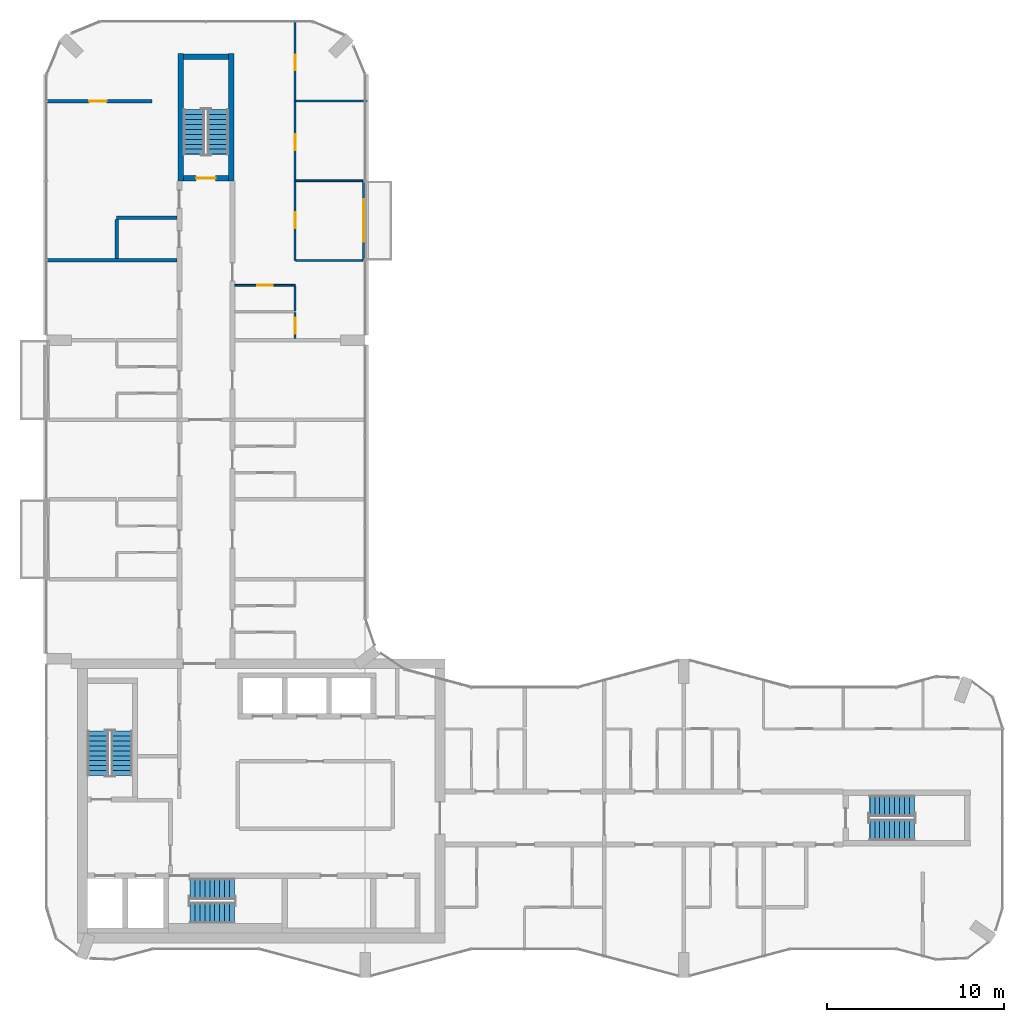
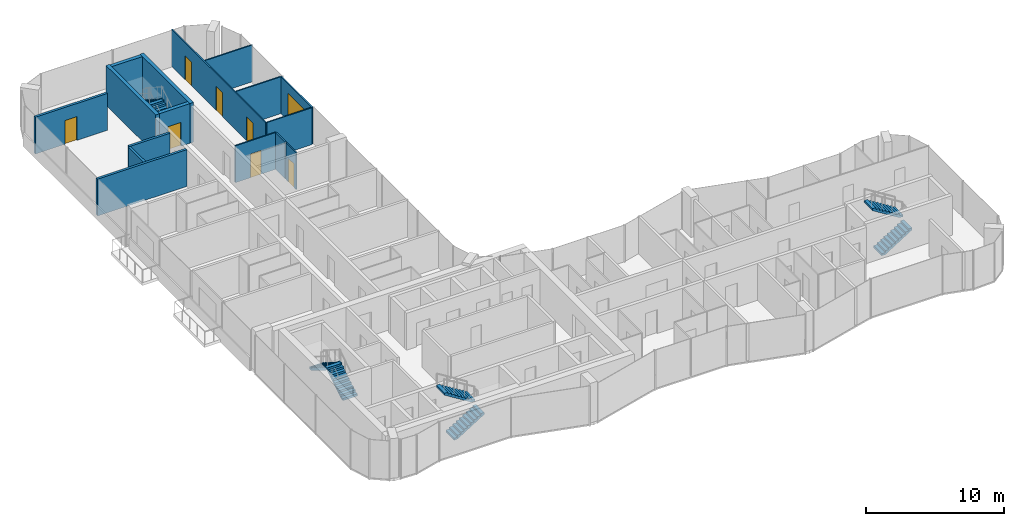
# One storey, part 13 of 16: 16 walls, 8 doors, 8 stair flights, 8 openings, 4 elements without a shape of their own.
"""IFC4 building model written with IfcOpenShell, lengths in metres."""

from ifc_helpers import new_model, si_unit, direction, frame, frame_2d, origin, place, context, subcontext, project, spatial, polyline, rectangle, outline, extrude, material, layer, layer_set, type_object, element, fill, aggregate, save


model = new_model("IFC4")

# Units and contexts
model_context = context("Model", 3, precision=1e-05, world=origin(), true_north=direction((0.0, 1.0)))
body_context = subcontext(model_context, "Body", "Model", "MODEL_VIEW")
ifc_project = project(units=[si_unit("LENGTHUNIT", "METRE"), si_unit("AREAUNIT", "SQUARE_METRE"), si_unit("VOLUMEUNIT", "CUBIC_METRE"), si_unit("PLANEANGLEUNIT", "RADIAN"), si_unit("MASSUNIT", "GRAM", prefix="KILO")], contexts=[model_context])

# Site, building, storey
site_placement = place(None, origin())
site = spatial("IfcSite", under=ifc_project, at=site_placement, CompositionType="ELEMENT")
building_placement = place(site_placement, origin())
building = spatial("IfcBuilding", under=site, at=building_placement, Name="Plateau Cross Towers", CompositionType="ELEMENT")
storey_placement = place(building_placement, frame((0.0, 0.0, 211.89990234375)))
storey = spatial("IfcBuildingStorey", under=building, at=storey_placement, Name="L55", CompositionType="ELEMENT", Elevation=211.89990234375)

# Wall, opening, door
ifc_material_1 = material(Name="Aluminium framed glazing", Category="aluminium")
ifc_layer_1 = layer(ifc_material_1, 0.10009765625)
ifc_layer_set_1 = layer_set([ifc_layer_1], Name="Aluminium framed glazing")
wall_type_1 = type_object("IfcWallType", Name="Balcony screen wall 100", PredefinedType="STANDARD", material=ifc_layer_set_1)
wall_1_placement = place(storey_placement, frame((17.89990234375, 45.0, 0.0), z_axis=(0.0, 0.0, 1.0), x_axis=(0.0, -1.0, 0.0)))
wall_1 = element("IfcWall", 1, at=wall_1_placement, inside=storey, type_object=wall_type_1, Name="Balcony screen wall A-BAL-L55-03", PredefinedType="STANDARD", context=body_context, shape_type="SweptSolid", body=[
    extrude(rectangle(XDim=4.5, YDim=0.10009765625, at=frame_2d((2.25, 0.0))), origin(), (0.0, 0.0, 1.0), 3.25),
])
opening_1_placement = place(wall_1_placement, frame((1.050048828125, 0.0, 0.0)))
opening_1 = element("IfcOpeningElement", 2, at=opening_1_placement, cuts=wall_1, Name="Opening D-B24", PredefinedType="OPENING", context=body_context, shape_type="SweptSolid", body=[
    extrude(rectangle(XDim=2.39990234375, YDim=2.39990234375, at=frame_2d((1.199951171875, 1.199951171875))), frame((0.0, 0.06005859375, 0.0), z_axis=(0.0, -1.0, 0.0), x_axis=(1.0, 0.0, 0.0)), (0.0, 0.0, 1.0), 0.1201171875),
])
ifc_material_2 = material(Name="Aluminium frame, double glazing", Category="aluminium")
door_type_1 = type_object("IfcDoorType", Name="Balcony sliding door 2400", OperationType="NOTDEFINED", PredefinedType="DOOR", material=ifc_material_2)
door_1_placement = place(opening_1_placement, origin())
door_1 = element("IfcDoor", 3, at=door_1_placement, inside=storey, type_object=door_type_1, Name="Balcony door A-BAL-L55-03", OperationType="SINGLE_SWING_LEFT", OverallHeight=2.39990234375, OverallWidth=2.39990234375, PredefinedType="DOOR", context=body_context, shape_type="SweptSolid", body=[
    extrude(rectangle(XDim=2.39990234375, YDim=2.39990234375, at=frame_2d((1.199951171875, 1.199951171875))), frame((0.0, 0.02490234375, 0.0), z_axis=(0.0, -1.0, 0.0), x_axis=(1.0, 0.0, 0.0)), (0.0, 0.0, 1.0), 0.050048828125),
])
fill(opening_1, door_1)

ifc_material_3 = material(Name="Gypsum board on steel studs", Category="steel")
ifc_layer_2 = layer(ifc_material_3, 0.10009765625)
ifc_layer_set_2 = layer_set([ifc_layer_2], Name="Gypsum board on steel studs")
wall_type_2 = type_object("IfcWallType", Name="Flat partition 100", PredefinedType="PARTITIONING", material=ifc_layer_set_2)
wall_2_placement = place(storey_placement, frame((14.03759765625, 39.10009765625, 0.0), z_axis=(0.0, 0.0, 1.0), x_axis=(-1.0, 0.0, 0.0)))
wall_2 = element("IfcWall", 4, at=wall_2_placement, inside=storey, type_object=wall_type_2, Name="Partition wall", PredefinedType="PARTITIONING", context=body_context, shape_type="SweptSolid", body=[
    extrude(rectangle(XDim=3.400146484375, YDim=0.10009765625, at=frame_2d((1.7001953125, 0.0))), origin(), (0.0, 0.0, 1.0), 3.25),
])
opening_2_placement = place(wall_2_placement, frame((1.25, 0.0, 0.0)))
opening_2 = element("IfcOpeningElement", 5, at=opening_2_placement, cuts=wall_2, Name="Opening 55-49", PredefinedType="OPENING", context=body_context, shape_type="SweptSolid", body=[
    extrude(rectangle(XDim=0.89990234375, YDim=2.10009765625, at=frame_2d((0.449951171875, 1.050048828125))), frame((0.0, 0.06005859375, 0.0), z_axis=(0.0, -1.0, 0.0), x_axis=(1.0, 0.0, 0.0)), (0.0, 0.0, 1.0), 0.1201171875),
])
ifc_material_4 = material(Name="Timber leaf", Category="wood")
door_type_2 = type_object("IfcDoorType", Name="Flat room door 900", OperationType="NOTDEFINED", PredefinedType="DOOR", material=ifc_material_4)
door_2_placement = place(opening_2_placement, origin())
door_2 = element("IfcDoor", 6, at=door_2_placement, inside=storey, type_object=door_type_2, Name="Door 55-49", OperationType="SINGLE_SWING_LEFT", OverallHeight=2.10009765625, OverallWidth=0.89990234375, PredefinedType="DOOR", context=body_context, shape_type="SweptSolid", body=[
    extrude(rectangle(XDim=0.89990234375, YDim=2.10009765625, at=frame_2d((0.449951171875, 1.050048828125))), frame((0.0, 0.02490234375, 0.0), z_axis=(0.0, -1.0, 0.0), x_axis=(1.0, 0.0, 0.0)), (0.0, 0.0, 1.0), 0.050048828125),
])
fill(opening_2, door_2)

# Walls
for number, where, z_axis, x_axis, name in (
    (7, (14.08740234375, 40.5, 0.0), (0.0, 0.0, 1.0), (1.0, 0.0, 0.0), "Partition wall"),
    (8, (17.85009765625, 45.0, 0.0), (0.0, 0.0, 1.0), (-1.0, 0.0, 0.0), "Partition wall"),
):
    element("IfcWall", number, at=place(storey_placement, frame(where, z_axis=z_axis, x_axis=x_axis)), inside=storey, type_object=wall_type_2, Name=name, PredefinedType="PARTITIONING", context=body_context, shape_type="SweptSolid", body=[
        extrude(rectangle(XDim=3.7626953125, YDim=0.10009765625, at=frame_2d((1.88134765625, 0.0))), origin(), (0.0, 0.0, 1.0), 3.25),
    ])
wall_3_placement = place(storey_placement, frame((18.080078125, 49.5, 0.0), z_axis=(0.0, 0.0, 1.0), x_axis=(-1.0, 0.0, 0.0)))
element("IfcWall", 9, at=wall_3_placement, inside=storey, type_object=wall_type_2, Name="Partition wall", PredefinedType="PARTITIONING", context=body_context, shape_type="SweptSolid", body=[
    extrude(rectangle(XDim=3.99267578125, YDim=0.10009765625, at=frame_2d((1.996337890625, 0.0))), origin(), (0.0, 0.0, 1.0), 3.25),
])

# Wall, openings, doors
wall_4_placement = place(storey_placement, frame((14.03759765625, 54.080078125, 0.0), z_axis=(0.0, 0.0, 1.0), x_axis=(0.0, -1.0, 0.0)))
wall_4 = element("IfcWall", 10, at=wall_4_placement, inside=storey, type_object=wall_type_2, Name="Partition wall", PredefinedType="PARTITIONING", context=body_context, shape_type="SweptSolid", body=[
    extrude(rectangle(XDim=13.580078125, YDim=0.10009765625, at=frame_2d((6.7900390625, 0.0))), origin(), (0.0, 0.0, 1.0), 3.25),
])
opening_3_placement = place(wall_4_placement, frame((10.85009765625, 0.0, 0.0)))
opening_3 = element("IfcOpeningElement", 11, at=opening_3_placement, cuts=wall_4, Name="Opening 55-50", PredefinedType="OPENING", context=body_context, shape_type="SweptSolid", body=[
    extrude(rectangle(XDim=0.89990234375, YDim=2.10009765625, at=frame_2d((0.449951171875, 1.050048828125))), frame((0.0, 0.06005859375, 0.0), z_axis=(0.0, -1.0, 0.0), x_axis=(1.0, 0.0, 0.0)), (0.0, 0.0, 1.0), 0.1201171875),
])
opening_4_placement = place(wall_4_placement, frame((6.449951171875, 0.0, 0.0)))
opening_4 = element("IfcOpeningElement", 12, at=opening_4_placement, cuts=wall_4, Name="Opening 55-51", PredefinedType="OPENING", context=body_context, shape_type="SweptSolid", body=[
    extrude(rectangle(XDim=0.89990234375, YDim=2.10009765625, at=frame_2d((0.449951171875, 1.050048828125))), frame((0.0, 0.06005859375, 0.0), z_axis=(0.0, -1.0, 0.0), x_axis=(1.0, 0.0, 0.0)), (0.0, 0.0, 1.0), 0.1201171875),
])
opening_5_placement = place(wall_4_placement, frame((1.949951171875, 0.0, 0.0)))
opening_5 = element("IfcOpeningElement", 13, at=opening_5_placement, cuts=wall_4, Name="Opening 55-52", PredefinedType="OPENING", context=body_context, shape_type="SweptSolid", body=[
    extrude(rectangle(XDim=0.89990234375, YDim=2.10009765625, at=frame_2d((0.449951171875, 1.050048828125))), frame((0.0, 0.06005859375, 0.0), z_axis=(0.0, -1.0, 0.0), x_axis=(1.0, 0.0, 0.0)), (0.0, 0.0, 1.0), 0.1201171875),
])
door_3_placement = place(opening_3_placement, origin())
door_3 = element("IfcDoor", 14, at=door_3_placement, inside=storey, type_object=door_type_2, Name="Door 55-50", OperationType="SINGLE_SWING_RIGHT", OverallHeight=2.10009765625, OverallWidth=0.89990234375, PredefinedType="DOOR", context=body_context, shape_type="SweptSolid", body=[
    extrude(rectangle(XDim=0.89990234375, YDim=2.10009765625, at=frame_2d((0.449951171875, 1.050048828125))), frame((0.0, 0.02490234375, 0.0), z_axis=(0.0, -1.0, 0.0), x_axis=(1.0, 0.0, 0.0)), (0.0, 0.0, 1.0), 0.050048828125),
])
fill(opening_3, door_3)
door_4_placement = place(opening_4_placement, origin())
door_4 = element("IfcDoor", 15, at=door_4_placement, inside=storey, type_object=door_type_2, Name="Door 55-51", OperationType="SINGLE_SWING_RIGHT", OverallHeight=2.10009765625, OverallWidth=0.89990234375, PredefinedType="DOOR", context=body_context, shape_type="SweptSolid", body=[
    extrude(rectangle(XDim=0.89990234375, YDim=2.10009765625, at=frame_2d((0.449951171875, 1.050048828125))), frame((0.0, 0.02490234375, 0.0), z_axis=(0.0, -1.0, 0.0), x_axis=(1.0, 0.0, 0.0)), (0.0, 0.0, 1.0), 0.050048828125),
])
fill(opening_4, door_4)
door_5_placement = place(opening_5_placement, origin())
door_5 = element("IfcDoor", 16, at=door_5_placement, inside=storey, type_object=door_type_2, Name="Door 55-52", OperationType="SINGLE_SWING_LEFT", OverallHeight=2.10009765625, OverallWidth=0.89990234375, PredefinedType="DOOR", context=body_context, shape_type="SweptSolid", body=[
    extrude(rectangle(XDim=0.89990234375, YDim=2.10009765625, at=frame_2d((0.449951171875, 1.050048828125))), frame((0.0, 0.02490234375, 0.0), z_axis=(0.0, -1.0, 0.0), x_axis=(1.0, 0.0, 0.0)), (0.0, 0.0, 1.0), 0.050048828125),
])
fill(opening_5, door_5)

# Wall, opening, door
wall_5_placement = place(storey_placement, frame((14.03759765625, 36.10009765625, 0.0), z_axis=(0.0, 0.0, 1.0), x_axis=(0.0, 1.0, 0.0)))
wall_5 = element("IfcWall", 17, at=wall_5_placement, inside=storey, type_object=wall_type_2, Name="Partition wall", PredefinedType="PARTITIONING", context=body_context, shape_type="SweptSolid", body=[
    extrude(rectangle(XDim=1.449951171875, YDim=0.10009765625, at=frame_2d((0.72509765625, 0.0))), origin(), (0.0, 0.0, 1.0), 3.25),
])
opening_6_placement = place(wall_5_placement, frame((0.25, 0.0, 0.0)))
opening_6 = element("IfcOpeningElement", 18, at=opening_6_placement, cuts=wall_5, Name="Opening 55-48", PredefinedType="OPENING", context=body_context, shape_type="SweptSolid", body=[
    extrude(rectangle(XDim=0.89990234375, YDim=2.10009765625, at=frame_2d((0.449951171875, 1.050048828125))), frame((0.0, 0.06005859375, 0.0), z_axis=(0.0, -1.0, 0.0), x_axis=(1.0, 0.0, 0.0)), (0.0, 0.0, 1.0), 0.1201171875),
])
door_6_placement = place(opening_6_placement, origin())
door_6 = element("IfcDoor", 19, at=door_6_placement, inside=storey, type_object=door_type_2, Name="Door 55-48", OperationType="SINGLE_SWING_LEFT", OverallHeight=2.10009765625, OverallWidth=0.89990234375, PredefinedType="DOOR", context=body_context, shape_type="SweptSolid", body=[
    extrude(rectangle(XDim=0.89990234375, YDim=2.10009765625, at=frame_2d((0.449951171875, 1.050048828125))), frame((0.0, 0.02490234375, 0.0), z_axis=(0.0, -1.0, 0.0), x_axis=(1.0, 0.0, 0.0)), (0.0, 0.0, 1.0), 0.050048828125),
])
fill(opening_6, door_6)

# Walls
wall_6_placement = place(storey_placement, frame((14.03759765625, 37.64990234375, 0.0), z_axis=(0.0, 0.0, 1.0), x_axis=(0.0, 1.0, 0.0)))
element("IfcWall", 20, at=wall_6_placement, inside=storey, type_object=wall_type_2, Name="Partition wall", PredefinedType="PARTITIONING", context=body_context, shape_type="SweptSolid", body=[
    extrude(rectangle(XDim=1.400146484375, YDim=0.10009765625, at=frame_2d((0.7001953125, 0.0))), origin(), (0.0, 0.0, 1.0), 3.25),
])
ifc_material_5 = material(Name="Gypsum board on steel studs, two layers each side", Category="steel")
ifc_layer_3 = layer(ifc_material_5, 0.199951171875)
ifc_layer_set_3 = layer_set([ifc_layer_3], Name="Gypsum board on steel studs, two layers each side")
wall_type_3 = type_object("IfcWallType", Name="Flat party wall 200", PredefinedType="PARTITIONING", material=ifc_layer_set_3)
wall_7_placement = place(storey_placement, frame((7.362548828125, 40.5, 0.0), z_axis=(0.0, 0.0, 1.0), x_axis=(-1.0, 0.0, 0.0)))
element("IfcWall", 21, at=wall_7_placement, inside=storey, type_object=wall_type_3, Name="Party wall", PredefinedType="PARTITIONING", context=body_context, shape_type="SweptSolid", body=[
    extrude(rectangle(XDim=7.442626953125, YDim=0.199951171875, at=frame_2d((3.72119140625, 0.0))), origin(), (0.0, 0.0, 1.0), 3.25),
])
wall_8_placement = place(storey_placement, frame((7.362548828125, 42.89990234375, 0.0), z_axis=(0.0, 0.0, 1.0), x_axis=(-1.0, 0.0, 0.0)))
element("IfcWall", 22, at=wall_8_placement, inside=storey, type_object=wall_type_3, Name="Party wall", PredefinedType="PARTITIONING", context=body_context, shape_type="SweptSolid", body=[
    extrude(rectangle(XDim=3.400146484375, YDim=0.199951171875, at=frame_2d((1.7001953125, 0.0))), origin(), (0.0, 0.0, 1.0), 3.25),
])

# Wall, opening, door
wall_9_placement = place(storey_placement, frame((5.949951171875, 49.5, 0.0), z_axis=(0.0, 0.0, 1.0), x_axis=(-1.0, 0.0, 0.0)))
wall_9 = element("IfcWall", 23, at=wall_9_placement, inside=storey, type_object=wall_type_3, Name="Party wall", PredefinedType="PARTITIONING", context=body_context, shape_type="SweptSolid", body=[
    extrude(rectangle(XDim=6.030029296875, YDim=0.199951171875, at=frame_2d((3.01513671875, 0.0))), origin(), (0.0, 0.0, 1.0), 3.25),
])
opening_7_placement = place(wall_9_placement, frame((2.550048828125, 0.0, 0.0)))
opening_7 = element("IfcOpeningElement", 24, at=opening_7_placement, cuts=wall_9, Name="Opening 55-25", PredefinedType="OPENING", context=body_context, shape_type="SweptSolid", body=[
    extrude(rectangle(XDim=1.0, YDim=2.10009765625, at=frame_2d((0.5, 1.050048828125))), frame((0.0, 0.10986328125, 0.0), z_axis=(0.0, -1.0, 0.0), x_axis=(1.0, 0.0, 0.0)), (0.0, 0.0, 1.0), 0.219970703125),
])
ifc_material_6 = material(Name="Timber, fire-resisting leaf", Category="wood")
door_type_3 = type_object("IfcDoorType", Name="Flat entrance door 1000", OperationType="NOTDEFINED", PredefinedType="DOOR", material=ifc_material_6)
door_7_placement = place(opening_7_placement, origin())
door_7 = element("IfcDoor", 25, at=door_7_placement, inside=storey, type_object=door_type_3, Name="Door 55-25", OperationType="SINGLE_SWING_RIGHT", OverallHeight=2.10009765625, OverallWidth=1.0, PredefinedType="DOOR", context=body_context, shape_type="SweptSolid", body=[
    extrude(rectangle(XDim=1.0, YDim=2.10009765625, at=frame_2d((0.5, 1.050048828125))), frame((0.0, 0.02490234375, 0.0), z_axis=(0.0, -1.0, 0.0), x_axis=(1.0, 0.0, 0.0)), (0.0, 0.0, 1.0), 0.050048828125),
])
fill(opening_7, door_7)

# Wall
wall_10_placement = place(storey_placement, frame((3.96240234375, 42.800048828125, 0.0), z_axis=(0.0, 0.0, 1.0), x_axis=(0.0, -1.0, 0.0)))
element("IfcWall", 26, at=wall_10_placement, inside=storey, type_object=wall_type_3, Name="Party wall", PredefinedType="PARTITIONING", context=body_context, shape_type="SweptSolid", body=[
    extrude(rectangle(XDim=2.199951171875, YDim=0.199951171875, at=frame_2d((1.10009765625, 0.0))), origin(), (0.0, 0.0, 1.0), 3.25),
])

# Wall, opening, door
ifc_material_7 = material(Name="Concrete C60/75", Category="concrete")
ifc_layer_4 = layer(ifc_material_7, 0.300048828125)
ifc_layer_set_4 = layer_set([ifc_layer_4], Name="Concrete C60/75")
wall_type_4 = type_object("IfcWallType", Name="Stair tower wall 300", PredefinedType="SHEAR", material=ifc_layer_set_4)
wall_11_placement = place(storey_placement, frame((7.72509765625, 45.14990234375, 0.0), z_axis=(0.0, 0.0, 1.0), x_axis=(1.0, 0.0, 0.0)))
wall_11 = element("IfcWall", 27, at=wall_11_placement, inside=storey, type_object=wall_type_4, Name="A-end-N-S@L55", PredefinedType="SHEAR", context=body_context, shape_type="SweptSolid", body=[
    extrude(rectangle(XDim=2.5498046875, YDim=0.300048828125, at=frame_2d((1.27490234375, 0.0))), origin(), (0.0, 0.0, 1.0), 3.5),
])
opening_8_placement = place(wall_11_placement, frame((0.72509765625, 0.0, 0.0)))
opening_8 = element("IfcOpeningElement", 28, at=opening_8_placement, cuts=wall_11, Name="Opening SD", PredefinedType="OPENING", context=body_context, shape_type="SweptSolid", body=[
    extrude(rectangle(XDim=1.10009765625, YDim=2.10009765625, at=frame_2d((0.550048828125, 1.050048828125))), frame((0.0, 0.159912109375, 0.0), z_axis=(0.0, -1.0, 0.0), x_axis=(1.0, 0.0, 0.0)), (0.0, 0.0, 1.0), 0.320068359375),
])
ifc_material_8 = material(Name="Steel, fire-resisting leaf", Category="steel")
door_type_4 = type_object("IfcDoorType", Name="Stair door 1100", OperationType="NOTDEFINED", PredefinedType="DOOR", material=ifc_material_8)
door_8_placement = place(opening_8_placement, origin())
door_8 = element("IfcDoor", 29, at=door_8_placement, inside=storey, type_object=door_type_4, Name="Stair door SD", OperationType="SINGLE_SWING_LEFT", OverallHeight=2.10009765625, OverallWidth=1.10009765625, PredefinedType="DOOR", context=body_context, shape_type="SweptSolid", body=[
    extrude(rectangle(XDim=1.10009765625, YDim=2.10009765625, at=frame_2d((0.550048828125, 1.050048828125))), frame((0.0, 0.02490234375, 0.0), z_axis=(0.0, -1.0, 0.0), x_axis=(1.0, 0.0, 0.0)), (0.0, 0.0, 1.0), 0.050048828125),
])
fill(opening_8, door_8)

# Walls
wall_12_placement = place(storey_placement, frame((7.72509765625, 52.0, 0.0), z_axis=(0.0, 0.0, 1.0), x_axis=(1.0, 0.0, 0.0)))
element("IfcWall", 30, at=wall_12_placement, inside=storey, type_object=wall_type_4, Name="A-end-N-N@L55", PredefinedType="SHEAR", context=body_context, shape_type="SweptSolid", body=[
    extrude(rectangle(XDim=2.5498046875, YDim=0.300048828125, at=frame_2d((1.27490234375, 0.0))), origin(), (0.0, 0.0, 1.0), 3.5),
])
for number, where, z_axis, x_axis, name in (
    (31, (7.574951171875, 45.0, 0.0), (0.0, 0.0, 1.0), (0.0, 1.0, 0.0), "A-end-N-W@L55"),
    (32, (10.425048828125, 45.0, 0.0), (0.0, 0.0, 1.0), (0.0, 1.0, 0.0), "A-end-N-E@L55"),
):
    element("IfcWall", number, at=place(storey_placement, frame(where, z_axis=z_axis, x_axis=x_axis)), inside=storey, type_object=wall_type_4, Name=name, PredefinedType="SHEAR", context=body_context, shape_type="SweptSolid", body=[
        extrude(rectangle(XDim=7.199951171875, YDim=0.300048828125, at=frame_2d((3.60009765625, 0.0))), origin(), (0.0, 0.0, 1.0), 3.5),
    ])

# Stair, stair flights
ifc_material_9 = material(Name="Concrete C40/50", Category="concrete")
stair_type = type_object("IfcStairType", Name="ST-TWR", PredefinedType="HALF_TURN_STAIR", material=ifc_material_9)
stair_1_placement = place(storey_placement, origin())
stair_1 = element("IfcStair", 33, at=stair_1_placement, inside=storey, type_object=stair_type, Name="L55 Protected Exit Stair ST-1", PredefinedType="HALF_TURN_STAIR")
stair_flight_type = type_object("IfcStairFlightType", Name="SFL-RC", PredefinedType="STRAIGHT", material=ifc_material_9)
stair_flight_1_placement = place(storey_placement, frame((4.25, 11.39990234375, 0.0), z_axis=(0.0, 0.0, 1.0), x_axis=(0.0, 1.0, 0.0)))
stair_flight_1 = element("IfcStairFlight", 34, at=stair_flight_1_placement, type_object=stair_flight_type, Name="ST-1 flight 1", NumberOfRisers=10, NumberOfTreads=9, PredefinedType="STRAIGHT", RiserHeight=0.175, TreadLength=0.28, context=body_context, shape_type="SweptSolid", body=[
    extrude(outline(polyline([(-0.0048828125, -0.010009765625), (-0.0048828125, 0.0), (0.0, 0.0), (0.0, 0.175048828125), (0.280029296875, 0.175048828125), (0.280029296875, 0.35009765625), (0.56005859375, 0.35009765625), (0.56005859375, 0.52490234375), (0.840087890625, 0.52490234375), (0.840087890625, 0.699951171875), (1.1201171875, 0.699951171875), (1.1201171875, 0.875), (1.39990234375, 0.875), (1.39990234375, 1.050048828125), (1.679931640625, 1.050048828125), (1.679931640625, 1.22509765625), (1.9599609375, 1.22509765625), (1.9599609375, 1.39990234375), (2.239990234375, 1.39990234375), (2.239990234375, 1.574951171875), (2.52001953125, 1.574951171875), (2.52490234375, 1.56494140625), (2.52490234375, 1.398193359375), (2.52001953125, 1.398193359375), (0.28271484375, 0.0), (0.02001953125, 0.0), (0.02001953125, -0.010009765625), (-0.0048828125, -0.010009765625)])), frame((0.0, 0.60009765625, 0.0), z_axis=(0.0, -1.0, 0.0), x_axis=(1.0, 0.0, 0.0)), (0.0, 0.0, 1.0), 1.199951171875),
])
stair_flight_2_placement = place(storey_placement, frame((2.89990234375, 13.919921875, 1.75), z_axis=(0.0, 0.0, 1.0), x_axis=(0.0, -1.0, 0.0)))
stair_flight_2 = element("IfcStairFlight", 35, at=stair_flight_2_placement, type_object=stair_flight_type, Name="ST-1 flight 2", NumberOfRisers=10, NumberOfTreads=9, PredefinedType="STRAIGHT", RiserHeight=0.175, TreadLength=0.28, context=body_context, shape_type="SweptSolid", body=[
    extrude(outline(polyline([(-0.0048828125, -0.010009765625), (-0.0048828125, 0.0), (0.0, 0.0), (0.0, 0.175048828125), (0.280029296875, 0.175048828125), (0.280029296875, 0.35009765625), (0.56005859375, 0.35009765625), (0.56005859375, 0.52490234375), (0.840087890625, 0.52490234375), (0.840087890625, 0.699951171875), (1.1201171875, 0.699951171875), (1.1201171875, 0.875), (1.39990234375, 0.875), (1.39990234375, 1.050048828125), (1.679931640625, 1.050048828125), (1.679931640625, 1.22509765625), (1.9599609375, 1.22509765625), (1.9599609375, 1.39990234375), (2.239990234375, 1.39990234375), (2.239990234375, 1.574951171875), (2.52001953125, 1.574951171875), (2.52490234375, 1.56494140625), (2.52490234375, 1.398193359375), (2.52001953125, 1.398193359375), (0.28271484375, 0.0), (0.02001953125, 0.0), (0.02001953125, -0.010009765625), (-0.0048828125, -0.010009765625)])), frame((0.0, 0.60009765625, 0.0), z_axis=(0.0, -1.0, 0.0), x_axis=(1.0, 0.0, 0.0)), (0.0, 0.0, 1.0), 1.199951171875),
])
aggregate(stair_1, [stair_flight_1, stair_flight_2])

stair_2_placement = place(storey_placement, origin())
stair_2 = element("IfcStair", 36, at=stair_2_placement, inside=storey, type_object=stair_type, Name="L55 Protected Exit Stair ST-2", PredefinedType="HALF_TURN_STAIR")
stair_flight_3_placement = place(storey_placement, frame((8.10009765625, 3.64990234375, 0.0), z_axis=(0.0, 0.0, 1.0), x_axis=(1.0, 0.0, 0.0)))
stair_flight_3 = element("IfcStairFlight", 37, at=stair_flight_3_placement, type_object=stair_flight_type, Name="ST-2 flight 1", NumberOfRisers=10, NumberOfTreads=9, PredefinedType="STRAIGHT", RiserHeight=0.175, TreadLength=0.28, context=body_context, shape_type="SweptSolid", body=[
    extrude(outline(polyline([(-0.0048828125, -0.010009765625), (-0.0048828125, 0.0), (0.0, 0.0), (0.0, 0.175048828125), (0.280029296875, 0.175048828125), (0.280029296875, 0.35009765625), (0.56005859375, 0.35009765625), (0.56005859375, 0.52490234375), (0.840087890625, 0.52490234375), (0.840087890625, 0.699951171875), (1.1201171875, 0.699951171875), (1.1201171875, 0.875), (1.39990234375, 0.875), (1.39990234375, 1.050048828125), (1.679931640625, 1.050048828125), (1.679931640625, 1.22509765625), (1.9599609375, 1.22509765625), (1.9599609375, 1.39990234375), (2.239990234375, 1.39990234375), (2.239990234375, 1.574951171875), (2.52001953125, 1.574951171875), (2.52490234375, 1.56494140625), (2.52490234375, 1.398193359375), (2.52001953125, 1.398193359375), (0.28271484375, 0.0), (0.02001953125, 0.0), (0.02001953125, -0.010009765625), (-0.0048828125, -0.010009765625)])), frame((0.0, 0.60009765625, 0.0), z_axis=(0.0, -1.0, 0.0), x_axis=(1.0, 0.0, 0.0)), (0.0, 0.0, 1.0), 1.199951171875),
])
stair_flight_4_placement = place(storey_placement, frame((10.6201171875, 5.0, 1.75), z_axis=(0.0, 0.0, 1.0), x_axis=(-1.0, 0.0, 0.0)))
stair_flight_4 = element("IfcStairFlight", 38, at=stair_flight_4_placement, type_object=stair_flight_type, Name="ST-2 flight 2", NumberOfRisers=10, NumberOfTreads=9, PredefinedType="STRAIGHT", RiserHeight=0.175, TreadLength=0.28, context=body_context, shape_type="SweptSolid", body=[
    extrude(outline(polyline([(-0.0048828125, -0.010009765625), (-0.0048828125, 0.0), (0.0, 0.0), (0.0, 0.175048828125), (0.280029296875, 0.175048828125), (0.280029296875, 0.35009765625), (0.56005859375, 0.35009765625), (0.56005859375, 0.52490234375), (0.840087890625, 0.52490234375), (0.840087890625, 0.699951171875), (1.1201171875, 0.699951171875), (1.1201171875, 0.875), (1.39990234375, 0.875), (1.39990234375, 1.050048828125), (1.679931640625, 1.050048828125), (1.679931640625, 1.22509765625), (1.9599609375, 1.22509765625), (1.9599609375, 1.39990234375), (2.239990234375, 1.39990234375), (2.239990234375, 1.574951171875), (2.52001953125, 1.574951171875), (2.52490234375, 1.56494140625), (2.52490234375, 1.398193359375), (2.52001953125, 1.398193359375), (0.28271484375, 0.0), (0.02001953125, 0.0), (0.02001953125, -0.010009765625), (-0.0048828125, -0.010009765625)])), frame((0.0, 0.60009765625, 0.0), z_axis=(0.0, -1.0, 0.0), x_axis=(1.0, 0.0, 0.0)), (0.0, 0.0, 1.0), 1.199951171875),
])
aggregate(stair_2, [stair_flight_3, stair_flight_4])

stair_3_placement = place(storey_placement, origin())
stair_3 = element("IfcStair", 39, at=stair_3_placement, inside=storey, type_object=stair_type, Name="L55 Protected Exit Stair E", PredefinedType="HALF_TURN_STAIR")
stair_flight_5_placement = place(storey_placement, frame((46.5, 8.324951171875, 0.0), z_axis=(0.0, 0.0, 1.0), x_axis=(1.0, 0.0, 0.0)))
stair_flight_5 = element("IfcStairFlight", 40, at=stair_flight_5_placement, type_object=stair_flight_type, Name="ES-E flight 1", NumberOfRisers=10, NumberOfTreads=9, PredefinedType="STRAIGHT", RiserHeight=0.175, TreadLength=0.28, context=body_context, shape_type="SweptSolid", body=[
    extrude(outline(polyline([(-0.0048828125, -0.010009765625), (-0.0048828125, 0.0), (0.0, 0.0), (0.0, 0.175048828125), (0.280029296875, 0.175048828125), (0.280029296875, 0.35009765625), (0.56005859375, 0.35009765625), (0.56005859375, 0.52490234375), (0.840087890625, 0.52490234375), (0.840087890625, 0.699951171875), (1.1201171875, 0.699951171875), (1.1201171875, 0.875), (1.39990234375, 0.875), (1.39990234375, 1.050048828125), (1.679931640625, 1.050048828125), (1.679931640625, 1.22509765625), (1.9599609375, 1.22509765625), (1.9599609375, 1.39990234375), (2.239990234375, 1.39990234375), (2.239990234375, 1.574951171875), (2.52001953125, 1.574951171875), (2.52490234375, 1.56494140625), (2.52490234375, 1.398193359375), (2.52001953125, 1.398193359375), (0.28271484375, 0.0), (0.02001953125, 0.0), (0.02001953125, -0.010009765625), (-0.0048828125, -0.010009765625)])), frame((0.0, 0.60009765625, 0.0), z_axis=(0.0, -1.0, 0.0), x_axis=(1.0, 0.0, 0.0)), (0.0, 0.0, 1.0), 1.199951171875),
])
stair_flight_6_placement = place(storey_placement, frame((49.02001953125, 9.675048828125, 1.75), z_axis=(0.0, 0.0, 1.0), x_axis=(-1.0, 0.0, 0.0)))
stair_flight_6 = element("IfcStairFlight", 41, at=stair_flight_6_placement, type_object=stair_flight_type, Name="ES-E flight 2", NumberOfRisers=10, NumberOfTreads=9, PredefinedType="STRAIGHT", RiserHeight=0.175, TreadLength=0.28, context=body_context, shape_type="SweptSolid", body=[
    extrude(outline(polyline([(-0.0048828125, -0.010009765625), (-0.0048828125, 0.0), (0.0, 0.0), (0.0, 0.175048828125), (0.280029296875, 0.175048828125), (0.280029296875, 0.35009765625), (0.56005859375, 0.35009765625), (0.56005859375, 0.52490234375), (0.840087890625, 0.52490234375), (0.840087890625, 0.699951171875), (1.1201171875, 0.699951171875), (1.1201171875, 0.875), (1.39990234375, 0.875), (1.39990234375, 1.050048828125), (1.679931640625, 1.050048828125), (1.679931640625, 1.22509765625), (1.9599609375, 1.22509765625), (1.9599609375, 1.39990234375), (2.239990234375, 1.39990234375), (2.239990234375, 1.574951171875), (2.52001953125, 1.574951171875), (2.52490234375, 1.56494140625), (2.52490234375, 1.398193359375), (2.52001953125, 1.398193359375), (0.28271484375, 0.0), (0.02001953125, 0.0), (0.02001953125, -0.010009765625), (-0.0048828125, -0.010009765625)])), frame((0.0, 0.60009765625, 0.0), z_axis=(0.0, -1.0, 0.0), x_axis=(1.0, 0.0, 0.0)), (0.0, 0.0, 1.0), 1.199951171875),
])
aggregate(stair_3, [stair_flight_5, stair_flight_6])

stair_4_placement = place(storey_placement, origin())
stair_4 = element("IfcStair", 42, at=stair_4_placement, inside=storey, type_object=stair_type, Name="L55 Protected Exit Stair N", PredefinedType="HALF_TURN_STAIR")
stair_flight_7_placement = place(storey_placement, frame((9.675048828125, 46.5, 0.0), z_axis=(0.0, 0.0, 1.0), x_axis=(0.0, 1.0, 0.0)))
stair_flight_7 = element("IfcStairFlight", 43, at=stair_flight_7_placement, type_object=stair_flight_type, Name="ES-N flight 1", NumberOfRisers=10, NumberOfTreads=9, PredefinedType="STRAIGHT", RiserHeight=0.175, TreadLength=0.28, context=body_context, shape_type="SweptSolid", body=[
    extrude(outline(polyline([(-0.0048828125, -0.010009765625), (-0.0048828125, 0.0), (0.0, 0.0), (0.0, 0.175048828125), (0.280029296875, 0.175048828125), (0.280029296875, 0.35009765625), (0.56005859375, 0.35009765625), (0.56005859375, 0.52490234375), (0.840087890625, 0.52490234375), (0.840087890625, 0.699951171875), (1.1201171875, 0.699951171875), (1.1201171875, 0.875), (1.39990234375, 0.875), (1.39990234375, 1.050048828125), (1.679931640625, 1.050048828125), (1.679931640625, 1.22509765625), (1.9599609375, 1.22509765625), (1.9599609375, 1.39990234375), (2.239990234375, 1.39990234375), (2.239990234375, 1.574951171875), (2.52001953125, 1.574951171875), (2.52490234375, 1.56494140625), (2.52490234375, 1.398193359375), (2.52001953125, 1.398193359375), (0.28271484375, 0.0), (0.02001953125, 0.0), (0.02001953125, -0.010009765625), (-0.0048828125, -0.010009765625)])), frame((0.0, 0.60009765625, 0.0), z_axis=(0.0, -1.0, 0.0), x_axis=(1.0, 0.0, 0.0)), (0.0, 0.0, 1.0), 1.199951171875),
])
stair_flight_8_placement = place(storey_placement, frame((8.324951171875, 49.02001953125, 1.75), z_axis=(0.0, 0.0, 1.0), x_axis=(0.0, -1.0, 0.0)))
stair_flight_8 = element("IfcStairFlight", 44, at=stair_flight_8_placement, type_object=stair_flight_type, Name="ES-N flight 2", NumberOfRisers=10, NumberOfTreads=9, PredefinedType="STRAIGHT", RiserHeight=0.175, TreadLength=0.28, context=body_context, shape_type="SweptSolid", body=[
    extrude(outline(polyline([(-0.0048828125, -0.010009765625), (-0.0048828125, 0.0), (0.0, 0.0), (0.0, 0.175048828125), (0.280029296875, 0.175048828125), (0.280029296875, 0.35009765625), (0.56005859375, 0.35009765625), (0.56005859375, 0.52490234375), (0.840087890625, 0.52490234375), (0.840087890625, 0.699951171875), (1.1201171875, 0.699951171875), (1.1201171875, 0.875), (1.39990234375, 0.875), (1.39990234375, 1.050048828125), (1.679931640625, 1.050048828125), (1.679931640625, 1.22509765625), (1.9599609375, 1.22509765625), (1.9599609375, 1.39990234375), (2.239990234375, 1.39990234375), (2.239990234375, 1.574951171875), (2.52001953125, 1.574951171875), (2.52490234375, 1.56494140625), (2.52490234375, 1.398193359375), (2.52001953125, 1.398193359375), (0.28271484375, 0.0), (0.02001953125, 0.0), (0.02001953125, -0.010009765625), (-0.0048828125, -0.010009765625)])), frame((0.0, 0.60009765625, 0.0), z_axis=(0.0, -1.0, 0.0), x_axis=(1.0, 0.0, 0.0)), (0.0, 0.0, 1.0), 1.199951171875),
])
aggregate(stair_4, [stair_flight_7, stair_flight_8])

save(model, "model.ifc")
